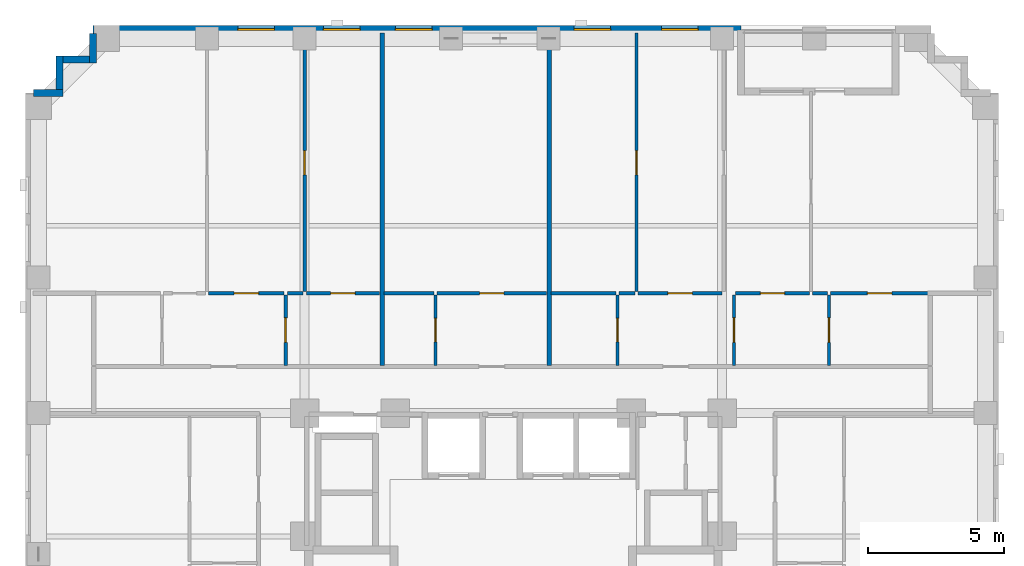
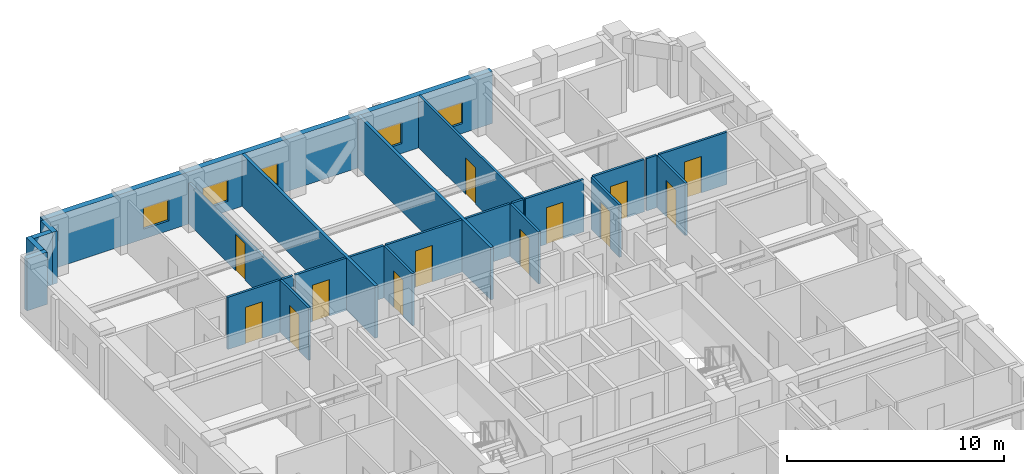
# One storey, part 7 of 12: 25 walls, 13 doors, 5 windows, 18 openings.
"""IFC4 building model written with IfcOpenShell, lengths in metres."""

from ifc_helpers import new_model, si_unit, derived_unit, direction, frame, frame_2d, origin, place, context, subcontext, project, spatial, rectangle, extrude, material, layer, layer_set, type_object, element, fill, save


model = new_model("IFC4")

# Units and contexts
model_context = context("Model", 3, precision=1e-05, world=origin(), true_north=direction((0.0, 1.0)))
body_context = subcontext(model_context, "Body", "Model", "MODEL_VIEW")
ifc_project = project(units=[si_unit("LENGTHUNIT", "METRE"), si_unit("AREAUNIT", "SQUARE_METRE"), si_unit("VOLUMEUNIT", "CUBIC_METRE"), si_unit("PLANEANGLEUNIT", "RADIAN"), si_unit("MASSUNIT", "GRAM", prefix="KILO"), derived_unit("THERMALTRANSMITTANCEUNIT", [(si_unit("MASSUNIT", "GRAM", prefix="KILO"), 1), (si_unit("TIMEUNIT", "SECOND"), -3), (si_unit("THERMODYNAMICTEMPERATUREUNIT", "KELVIN"), -1)])], contexts=[model_context])

# Site, building, storey
site_placement = place(None, origin())
site = spatial("IfcSite", under=ifc_project, at=site_placement, CompositionType="ELEMENT")
building_placement = place(site_placement, origin())
building = spatial("IfcBuilding", under=site, at=building_placement, Name="Korrvale Station Residences", CompositionType="ELEMENT")
storey_placement = place(building_placement, frame((0.0, 0.0, 91.10009765625)))
storey = spatial("IfcBuildingStorey", under=building, at=storey_placement, Name="L25", CompositionType="ELEMENT", Elevation=91.10009765625)

# Walls
ifc_material_1 = material(Name="Precast concrete C45/55", Category="concrete")
ifc_layer_1 = layer(ifc_material_1, 0.260009765625, Name="Precast concrete C45/55")
ifc_layer_set_1 = layer_set([ifc_layer_1], Name="Precast concrete C45/55")
wall_type_1 = type_object("IfcWallType", Name="WAL-EXT-LOG260", PredefinedType="SOLIDWALL", material=ifc_layer_set_1)
wall_1_placement = place(storey_placement, frame((7.802001953125, 40.800048828125, 0.0), z_axis=(0.0, 0.0, 1.0), x_axis=(1.0, 0.0, 0.0)))
element("IfcWall", 1, at=wall_1_placement, inside=storey, type_object=wall_type_1, Name="L25 Serrated Corner Precast Step NW-1", PredefinedType="SOLIDWALL", context=body_context, shape_type="SweptSolid", body=[
    extrude(rectangle(XDim=1.077880859375, YDim=0.260009765625, at=frame_2d((0.5390625, 0.0))), origin(), (0.0, 0.0, 1.0), 2.93994140625),
])
wall_2_placement = place(storey_placement, frame((8.75, 40.931884765625, 0.0), z_axis=(0.0, 0.0, 1.0), x_axis=(0.0, 1.0, 0.0)))
element("IfcWall", 2, at=wall_2_placement, inside=storey, type_object=wall_type_1, Name="L25 Serrated Corner Precast Step NW-2", PredefinedType="SOLIDWALL", context=body_context, shape_type="SweptSolid", body=[
    extrude(rectangle(XDim=1.248046875, YDim=0.260009765625, at=frame_2d((0.6240234375, 0.0))), origin(), (0.0, 0.0, 1.0), 2.93994140625),
])
wall_3_placement = place(storey_placement, frame((8.882080078125, 42.050048828125, 0.0), z_axis=(0.0, 0.0, 1.0), x_axis=(1.0, 0.0, 0.0)))
element("IfcWall", 3, at=wall_3_placement, inside=storey, type_object=wall_type_1, Name="L25 Serrated Corner Precast Step NW-3", PredefinedType="SOLIDWALL", context=body_context, shape_type="SweptSolid", body=[
    extrude(rectangle(XDim=0.98583984375, YDim=0.260009765625, at=frame_2d((0.492919921875, 0.0))), origin(), (0.0, 0.0, 1.0), 2.93994140625),
])
wall_4_placement = place(storey_placement, frame((10.0, 41.919921875, 0.0), z_axis=(0.0, 0.0, 1.0), x_axis=(0.0, 1.0, 0.0)))
element("IfcWall", 4, at=wall_4_placement, inside=storey, type_object=wall_type_1, Name="L25 Serrated Corner Precast Step NW-4", PredefinedType="SOLIDWALL", context=body_context, shape_type="SweptSolid", body=[
    extrude(rectangle(XDim=1.078125, YDim=0.260009765625, at=frame_2d((0.5390625, 0.0))), origin(), (0.0, 0.0, 1.0), 2.93994140625),
])

# Wall, openings, windows
ifc_layer_2 = layer(ifc_material_1, 0.300048828125, Name="Precast concrete C45/55")
ifc_layer_set_2 = layer_set([ifc_layer_2], Name="Precast concrete C45/55")
wall_type_2 = type_object("IfcWallType", Name="WAL-EXT-PC300", PredefinedType="SOLIDWALL", material=ifc_layer_set_2)
wall_5_placement = place(storey_placement, frame((10.0, 43.14990234375, 0.0), z_axis=(0.0, 0.0, 1.0), x_axis=(1.0, 0.0, 0.0)))
wall_5 = element("IfcWall", 5, at=wall_5_placement, inside=storey, type_object=wall_type_2, Name="L25 North Exterior Precast Wall 1", PredefinedType="SOLIDWALL", context=body_context, shape_type="SweptSolid", body=[
    extrude(rectangle(XDim=23.89990234375, YDim=0.300048828125, at=frame_2d((11.949951171875, 0.0))), origin(), (0.0, 0.0, 1.0), 2.93994140625),
])
opening_1_placement = place(wall_5_placement, frame((5.3369140625, 0.0, 0.550048828125)))
opening_1 = element("IfcOpeningElement", 6, at=opening_1_placement, cuts=wall_5, Name="Opening W-10", PredefinedType="OPENING", context=body_context, shape_type="SweptSolid", body=[
    extrude(rectangle(XDim=1.35009765625, YDim=1.199951171875, at=frame_2d((0.675048828125, 0.60009765625))), frame((0.0, 0.16015625, 0.0), z_axis=(0.0, -1.0, 0.0), x_axis=(1.0, 0.0, 0.0)), (0.0, 0.0, 1.0), 0.320068359375),
])
opening_2_placement = place(wall_5_placement, frame((8.493896484375, 0.0, 0.550048828125)))
opening_2 = element("IfcOpeningElement", 7, at=opening_2_placement, cuts=wall_5, Name="Opening W-10", PredefinedType="OPENING", context=body_context, shape_type="SweptSolid", body=[
    extrude(rectangle(XDim=1.35009765625, YDim=1.199951171875, at=frame_2d((0.675048828125, 0.60009765625))), frame((0.0, 0.16015625, 0.0), z_axis=(0.0, -1.0, 0.0), x_axis=(1.0, 0.0, 0.0)), (0.0, 0.0, 1.0), 0.320068359375),
])
opening_3_placement = place(wall_5_placement, frame((11.14990234375, 0.0, 0.550048828125)))
opening_3 = element("IfcOpeningElement", 8, at=opening_3_placement, cuts=wall_5, Name="Opening W-10", PredefinedType="OPENING", context=body_context, shape_type="SweptSolid", body=[
    extrude(rectangle(XDim=1.35009765625, YDim=1.199951171875, at=frame_2d((0.675048828125, 0.60009765625))), frame((0.0, 0.16015625, 0.0), z_axis=(0.0, -1.0, 0.0), x_axis=(1.0, 0.0, 0.0)), (0.0, 0.0, 1.0), 0.320068359375),
])
opening_4_placement = place(wall_5_placement, frame((17.738037109375, 0.0, 0.550048828125)))
opening_4 = element("IfcOpeningElement", 9, at=opening_4_placement, cuts=wall_5, Name="Opening W-10", PredefinedType="OPENING", context=body_context, shape_type="SweptSolid", body=[
    extrude(rectangle(XDim=1.35009765625, YDim=1.199951171875, at=frame_2d((0.675048828125, 0.60009765625))), frame((0.0, 0.16015625, 0.0), z_axis=(0.0, -1.0, 0.0), x_axis=(1.0, 0.0, 0.0)), (0.0, 0.0, 1.0), 0.320068359375),
])
opening_5_placement = place(wall_5_placement, frame((20.969970703125, 0.0, 0.550048828125)))
opening_5 = element("IfcOpeningElement", 10, at=opening_5_placement, cuts=wall_5, Name="Opening W-10", PredefinedType="OPENING", context=body_context, shape_type="SweptSolid", body=[
    extrude(rectangle(XDim=1.35009765625, YDim=1.199951171875, at=frame_2d((0.675048828125, 0.60009765625))), frame((0.0, 0.16015625, 0.0), z_axis=(0.0, -1.0, 0.0), x_axis=(1.0, 0.0, 0.0)), (0.0, 0.0, 1.0), 0.320068359375),
])
ifc_material_2 = material(Name="Thermally broken aluminium frame with triple low-e glazing", Category="aluminium")
window_type = type_object("IfcWindowType", Name="WIN-W10", PartitioningType="SINGLE_PANEL", PredefinedType="WINDOW", material=ifc_material_2)
window_1_placement = place(opening_1_placement, origin())
window_1 = element("IfcWindow", 11, at=window_1_placement, inside=storey, type_object=window_type, Name="L25 Punched Window 13", OverallHeight=1.199951171875, OverallWidth=1.35009765625, PartitioningType="SINGLE_PANEL", PredefinedType="WINDOW", context=body_context, shape_type="SweptSolid", body=[
    extrude(rectangle(XDim=1.35009765625, YDim=1.199951171875, at=frame_2d((0.675048828125, 0.60009765625))), frame((0.0, 0.030029296875, 0.0), z_axis=(0.0, -1.0, 0.0), x_axis=(1.0, 0.0, 0.0)), (0.0, 0.0, 1.0), 0.06005859375),
])
fill(opening_1, window_1)
window_2_placement = place(opening_2_placement, origin())
window_2 = element("IfcWindow", 12, at=window_2_placement, inside=storey, type_object=window_type, Name="L25 Punched Window 14", OverallHeight=1.199951171875, OverallWidth=1.35009765625, PartitioningType="SINGLE_PANEL", PredefinedType="WINDOW", context=body_context, shape_type="SweptSolid", body=[
    extrude(rectangle(XDim=1.35009765625, YDim=1.199951171875, at=frame_2d((0.675048828125, 0.60009765625))), frame((0.0, 0.030029296875, 0.0), z_axis=(0.0, -1.0, 0.0), x_axis=(1.0, 0.0, 0.0)), (0.0, 0.0, 1.0), 0.06005859375),
])
fill(opening_2, window_2)
window_3_placement = place(opening_3_placement, origin())
window_3 = element("IfcWindow", 13, at=window_3_placement, inside=storey, type_object=window_type, Name="L25 Punched Window 15", OverallHeight=1.199951171875, OverallWidth=1.35009765625, PartitioningType="SINGLE_PANEL", PredefinedType="WINDOW", context=body_context, shape_type="SweptSolid", body=[
    extrude(rectangle(XDim=1.35009765625, YDim=1.199951171875, at=frame_2d((0.675048828125, 0.60009765625))), frame((0.0, 0.030029296875, 0.0), z_axis=(0.0, -1.0, 0.0), x_axis=(1.0, 0.0, 0.0)), (0.0, 0.0, 1.0), 0.06005859375),
])
fill(opening_3, window_3)
window_4_placement = place(opening_4_placement, origin())
window_4 = element("IfcWindow", 14, at=window_4_placement, inside=storey, type_object=window_type, Name="L25 Punched Window 16", OverallHeight=1.199951171875, OverallWidth=1.35009765625, PartitioningType="SINGLE_PANEL", PredefinedType="WINDOW", context=body_context, shape_type="SweptSolid", body=[
    extrude(rectangle(XDim=1.35009765625, YDim=1.199951171875, at=frame_2d((0.675048828125, 0.60009765625))), frame((0.0, 0.030029296875, 0.0), z_axis=(0.0, -1.0, 0.0), x_axis=(1.0, 0.0, 0.0)), (0.0, 0.0, 1.0), 0.06005859375),
])
fill(opening_4, window_4)
window_5_placement = place(opening_5_placement, origin())
window_5 = element("IfcWindow", 15, at=window_5_placement, inside=storey, type_object=window_type, Name="L25 Punched Window 17", OverallHeight=1.199951171875, OverallWidth=1.35009765625, PartitioningType="SINGLE_PANEL", PredefinedType="WINDOW", context=body_context, shape_type="SweptSolid", body=[
    extrude(rectangle(XDim=1.35009765625, YDim=1.199951171875, at=frame_2d((0.675048828125, 0.60009765625))), frame((0.0, 0.030029296875, 0.0), z_axis=(0.0, -1.0, 0.0), x_axis=(1.0, 0.0, 0.0)), (0.0, 0.0, 1.0), 0.06005859375),
])
fill(opening_5, window_5)

# Wall, opening, door
ifc_material_3 = material(Name="Acoustic steel-stud gypsum board partition", Category="steel")
ifc_layer_3 = layer(ifc_material_3, 0.1201171875, Name="Acoustic steel-stud gypsum board partition")
ifc_layer_set_3 = layer_set([ifc_layer_3], Name="Acoustic steel-stud gypsum board partition")
wall_type_3 = type_object("IfcWallType", Name="WAL-PART-125", PredefinedType="PARTITIONING", material=ifc_layer_set_3)
wall_6_placement = place(storey_placement, frame((17.10009765625, 30.760009765625, 0.0), z_axis=(0.0, 0.0, 1.0), x_axis=(0.0, 1.0, 0.0)))
wall_6 = element("IfcWall", 16, at=wall_6_placement, inside=storey, type_object=wall_type_3, Name="L25 Suite Partition U05-V12", PredefinedType="PARTITIONING", context=body_context, shape_type="SweptSolid", body=[
    extrude(rectangle(XDim=2.60009765625, YDim=0.1201171875, at=frame_2d((1.300048828125, 0.0))), origin(), (0.0, 0.0, 1.0), 2.93994140625),
])
opening_6_placement = place(wall_6_placement, frame((0.85009765625, 0.0, 0.0)))
opening_6 = element("IfcOpeningElement", 17, at=opening_6_placement, cuts=wall_6, Name="Opening DI-900", PredefinedType="OPENING", context=body_context, shape_type="SweptSolid", body=[
    extrude(rectangle(XDim=0.89990234375, YDim=2.050048828125, at=frame_2d((0.449951171875, 1.02490234375))), frame((0.0, 0.070068359375, 0.0), z_axis=(0.0, -1.0, 0.0), x_axis=(1.0, 0.0, 0.0)), (0.0, 0.0, 1.0), 0.14013671875),
])
ifc_material_4 = material(Name="Painted solid-core timber interior room door", Category="wood")
door_type_1 = type_object("IfcDoorType", Name="DR-INT-900", OperationType="NOTDEFINED", PredefinedType="DOOR", material=ifc_material_4)
door_1_placement = place(opening_6_placement, origin())
door_1 = element("IfcDoor", 18, at=door_1_placement, inside=storey, type_object=door_type_1, Name="L25 Apartment 2BR L25-U05 Kitchen Door", OperationType="SINGLE_SWING_RIGHT", OverallHeight=2.050048828125, OverallWidth=0.89990234375, PredefinedType="DOOR", context=body_context, shape_type="SweptSolid", body=[
    extrude(rectangle(XDim=0.89990234375, YDim=2.050048828125, at=frame_2d((0.449951171875, 1.02490234375))), frame((0.0, 0.02490234375, 0.0), z_axis=(0.0, -1.0, 0.0), x_axis=(1.0, 0.0, 0.0)), (0.0, 0.0, 1.0), 0.050048828125),
])
fill(opening_6, door_1)

wall_7_placement = place(storey_placement, frame((14.260009765625, 33.419921875, 0.0), z_axis=(0.0, 0.0, 1.0), x_axis=(1.0, 0.0, 0.0)))
wall_7 = element("IfcWall", 19, at=wall_7_placement, inside=storey, type_object=wall_type_3, Name="L25 Suite Partition U05-H14", PredefinedType="PARTITIONING", context=body_context, shape_type="SweptSolid", body=[
    extrude(rectangle(XDim=2.780029296875, YDim=0.1201171875, at=frame_2d((1.39013671875, 0.0))), origin(), (0.0, 0.0, 1.0), 2.93994140625),
])
opening_7_placement = place(wall_7_placement, frame((0.93994140625, 0.0, 0.0)))
opening_7 = element("IfcOpeningElement", 20, at=opening_7_placement, cuts=wall_7, Name="Opening DI-900", PredefinedType="OPENING", context=body_context, shape_type="SweptSolid", body=[
    extrude(rectangle(XDim=0.89990234375, YDim=2.050048828125, at=frame_2d((0.449951171875, 1.02490234375))), frame((0.0, 0.070068359375, 0.0), z_axis=(0.0, -1.0, 0.0), x_axis=(1.0, 0.0, 0.0)), (0.0, 0.0, 1.0), 0.14013671875),
])
door_2_placement = place(opening_7_placement, origin())
door_2 = element("IfcDoor", 21, at=door_2_placement, inside=storey, type_object=door_type_1, Name="L25 Apartment 2BR L25-U05 Kitchen Door", OperationType="SINGLE_SWING_RIGHT", OverallHeight=2.050048828125, OverallWidth=0.89990234375, PredefinedType="DOOR", context=body_context, shape_type="SweptSolid", body=[
    extrude(rectangle(XDim=0.89990234375, YDim=2.050048828125, at=frame_2d((0.449951171875, 1.02490234375))), frame((0.0, 0.02490234375, 0.0), z_axis=(0.0, -1.0, 0.0), x_axis=(1.0, 0.0, 0.0)), (0.0, 0.0, 1.0), 0.050048828125),
])
fill(opening_7, door_2)

# Wall
wall_8_placement = place(storey_placement, frame((17.159912109375, 33.419921875, 0.0), z_axis=(0.0, 0.0, 1.0), x_axis=(1.0, 0.0, 0.0)))
element("IfcWall", 22, at=wall_8_placement, inside=storey, type_object=wall_type_3, Name="L25 Suite Partition U05-H24", PredefinedType="PARTITIONING", context=body_context, shape_type="SweptSolid", body=[
    extrude(rectangle(XDim=0.580078125, YDim=0.1201171875, at=frame_2d((0.2900390625, 0.0))), origin(), (0.0, 0.0, 1.0), 2.93994140625),
])

# Wall, opening, door
wall_9_placement = place(storey_placement, frame((17.860107421875, 33.419921875, 0.0), z_axis=(0.0, 0.0, 1.0), x_axis=(1.0, 0.0, 0.0)))
wall_9 = element("IfcWall", 23, at=wall_9_placement, inside=storey, type_object=wall_type_3, Name="L25 Suite Partition U05-H25", PredefinedType="PARTITIONING", context=body_context, shape_type="SweptSolid", body=[
    extrude(rectangle(XDim=2.698974609375, YDim=0.1201171875, at=frame_2d((1.349609375, 0.0))), origin(), (0.0, 0.0, 1.0), 2.93994140625),
])
opening_8_placement = place(wall_9_placement, frame((0.89892578125, 0.0, 0.0)))
opening_8 = element("IfcOpeningElement", 24, at=opening_8_placement, cuts=wall_9, Name="Opening DI-900", PredefinedType="OPENING", context=body_context, shape_type="SweptSolid", body=[
    extrude(rectangle(XDim=0.89990234375, YDim=2.050048828125, at=frame_2d((0.449951171875, 1.02490234375))), frame((0.0, 0.070068359375, 0.0), z_axis=(0.0, -1.0, 0.0), x_axis=(1.0, 0.0, 0.0)), (0.0, 0.0, 1.0), 0.14013671875),
])
door_3_placement = place(opening_8_placement, origin())
door_3 = element("IfcDoor", 25, at=door_3_placement, inside=storey, type_object=door_type_1, Name="L25 Apartment 2BR L25-U05 Home Study Room Door", OperationType="SINGLE_SWING_LEFT", OverallHeight=2.050048828125, OverallWidth=0.89990234375, PredefinedType="DOOR", context=body_context, shape_type="SweptSolid", body=[
    extrude(rectangle(XDim=0.89990234375, YDim=2.050048828125, at=frame_2d((0.449951171875, 1.02490234375))), frame((0.0, 0.02490234375, 0.0), z_axis=(0.0, -1.0, 0.0), x_axis=(1.0, 0.0, 0.0)), (0.0, 0.0, 1.0), 0.050048828125),
])
fill(opening_8, door_3)

wall_10_placement = place(storey_placement, frame((17.800048828125, 33.47998046875, 0.0), z_axis=(0.0, 0.0, 1.0), x_axis=(0.0, 1.0, 0.0)))
wall_10 = element("IfcWall", 26, at=wall_10_placement, inside=storey, type_object=wall_type_3, Name="L25 Suite Partition U05-V45", PredefinedType="PARTITIONING", context=body_context, shape_type="SweptSolid", body=[
    extrude(rectangle(XDim=9.5400390625, YDim=0.1201171875, at=frame_2d((4.77001953125, 0.0))), origin(), (0.0, 0.0, 1.0), 2.308837890625),
])
opening_9_placement = place(wall_10_placement, frame((4.304931640625, 0.0, 0.0)))
opening_9 = element("IfcOpeningElement", 27, at=opening_9_placement, cuts=wall_10, Name="Opening DI-900", PredefinedType="OPENING", context=body_context, shape_type="SweptSolid", body=[
    extrude(rectangle(XDim=0.89990234375, YDim=2.050048828125, at=frame_2d((0.449951171875, 1.02490234375))), frame((0.0, 0.070068359375, 0.0), z_axis=(0.0, -1.0, 0.0), x_axis=(1.0, 0.0, 0.0)), (0.0, 0.0, 1.0), 0.14013671875),
])
door_4_placement = place(opening_9_placement, origin())
door_4 = element("IfcDoor", 28, at=door_4_placement, inside=storey, type_object=door_type_1, Name="L25 Apartment 2BR L25-U05 Bedroom 1 Door", OperationType="SINGLE_SWING_LEFT", OverallHeight=2.050048828125, OverallWidth=0.89990234375, PredefinedType="DOOR", context=body_context, shape_type="SweptSolid", body=[
    extrude(rectangle(XDim=0.89990234375, YDim=2.050048828125, at=frame_2d((0.449951171875, 1.02490234375))), frame((0.0, 0.02490234375, 0.0), z_axis=(0.0, -1.0, 0.0), x_axis=(1.0, 0.0, 0.0)), (0.0, 0.0, 1.0), 0.050048828125),
])
fill(opening_9, door_4)

wall_11_placement = place(storey_placement, frame((22.62890625, 30.760009765625, 0.0), z_axis=(0.0, 0.0, 1.0), x_axis=(0.0, 1.0, 0.0)))
wall_11 = element("IfcWall", 29, at=wall_11_placement, inside=storey, type_object=wall_type_3, Name="L25 Suite Partition U06-V01", PredefinedType="PARTITIONING", context=body_context, shape_type="SweptSolid", body=[
    extrude(rectangle(XDim=2.60009765625, YDim=0.1201171875, at=frame_2d((1.300048828125, 0.0))), origin(), (0.0, 0.0, 1.0), 2.93994140625),
])
opening_10_placement = place(wall_11_placement, frame((0.8701171875, 0.0, 0.0)))
opening_10 = element("IfcOpeningElement", 30, at=opening_10_placement, cuts=wall_11, Name="Opening DB-860", PredefinedType="OPENING", context=body_context, shape_type="SweptSolid", body=[
    extrude(rectangle(XDim=0.860107421875, YDim=2.050048828125, at=frame_2d((0.43017578125, 1.02490234375))), frame((0.0, 0.070068359375, 0.0), z_axis=(0.0, -1.0, 0.0), x_axis=(1.0, 0.0, 0.0)), (0.0, 0.0, 1.0), 0.14013671875),
])
ifc_material_5 = material(Name="Moisture-resistant solid-core bathroom door", Category="timber")
door_type_2 = type_object("IfcDoorType", Name="DR-BATH-860", OperationType="NOTDEFINED", PredefinedType="DOOR", material=ifc_material_5)
door_5_placement = place(opening_10_placement, origin())
door_5 = element("IfcDoor", 31, at=door_5_placement, inside=storey, type_object=door_type_2, Name="L25 Studio Apartment L25-U06 Bathroom Door", OperationType="SINGLE_SWING_RIGHT", OverallHeight=2.050048828125, OverallWidth=0.860107421875, PredefinedType="DOOR", context=body_context, shape_type="SweptSolid", body=[
    extrude(rectangle(XDim=0.860107421875, YDim=2.050048828125, at=frame_2d((0.43017578125, 1.02490234375))), frame((0.0, 0.02490234375, 0.0), z_axis=(0.0, -1.0, 0.0), x_axis=(1.0, 0.0, 0.0)), (0.0, 0.0, 1.0), 0.050048828125),
])
fill(opening_10, door_5)

# Wall
wall_12_placement = place(storey_placement, frame((20.718994140625, 33.419921875, 0.0), z_axis=(0.0, 0.0, 1.0), x_axis=(1.0, 0.0, 0.0)))
element("IfcWall", 32, at=wall_12_placement, inside=storey, type_object=wall_type_3, Name="L25 Suite Partition U06-H02", PredefinedType="PARTITIONING", context=body_context, shape_type="SweptSolid", body=[
    extrude(rectangle(XDim=1.85009765625, YDim=0.1201171875, at=frame_2d((0.925048828125, 0.0))), origin(), (0.0, 0.0, 1.0), 2.93994140625),
])

# Wall, opening, door
wall_13_placement = place(storey_placement, frame((22.68896484375, 33.419921875, 0.0), z_axis=(0.0, 0.0, 1.0), x_axis=(1.0, 0.0, 0.0)))
wall_13 = element("IfcWall", 33, at=wall_13_placement, inside=storey, type_object=wall_type_3, Name="L25 Suite Partition U06-H12", PredefinedType="PARTITIONING", context=body_context, shape_type="SweptSolid", body=[
    extrude(rectangle(XDim=4.031005859375, YDim=0.1201171875, at=frame_2d((2.015625, 0.0))), origin(), (0.0, 0.0, 1.0), 2.93994140625),
])
opening_11_placement = place(wall_13_placement, frame((1.56494140625, 0.0, 0.0)))
opening_11 = element("IfcOpeningElement", 34, at=opening_11_placement, cuts=wall_13, Name="Opening DI-900", PredefinedType="OPENING", context=body_context, shape_type="SweptSolid", body=[
    extrude(rectangle(XDim=0.89990234375, YDim=2.050048828125, at=frame_2d((0.449951171875, 1.02490234375))), frame((0.0, 0.070068359375, 0.0), z_axis=(0.0, -1.0, 0.0), x_axis=(1.0, 0.0, 0.0)), (0.0, 0.0, 1.0), 0.14013671875),
])
door_6_placement = place(opening_11_placement, origin())
door_6 = element("IfcDoor", 35, at=door_6_placement, inside=storey, type_object=door_type_1, Name="L25 Studio Apartment L25-U06 Kitchen Door", OperationType="SINGLE_SWING_LEFT", OverallHeight=2.050048828125, OverallWidth=0.89990234375, PredefinedType="DOOR", context=body_context, shape_type="SweptSolid", body=[
    extrude(rectangle(XDim=0.89990234375, YDim=2.050048828125, at=frame_2d((0.449951171875, 1.02490234375))), frame((0.0, 0.02490234375, 0.0), z_axis=(0.0, -1.0, 0.0), x_axis=(1.0, 0.0, 0.0)), (0.0, 0.0, 1.0), 0.050048828125),
])
fill(opening_11, door_6)

wall_14_placement = place(storey_placement, frame((29.340087890625, 30.760009765625, 0.0), z_axis=(0.0, 0.0, 1.0), x_axis=(0.0, 1.0, 0.0)))
wall_14 = element("IfcWall", 36, at=wall_14_placement, inside=storey, type_object=wall_type_3, Name="L25 Suite Partition U07-V01", PredefinedType="PARTITIONING", context=body_context, shape_type="SweptSolid", body=[
    extrude(rectangle(XDim=2.60009765625, YDim=0.1201171875, at=frame_2d((1.300048828125, 0.0))), origin(), (0.0, 0.0, 1.0), 2.93994140625),
])
opening_12_placement = place(wall_14_placement, frame((0.8701171875, 0.0, 0.0)))
opening_12 = element("IfcOpeningElement", 37, at=opening_12_placement, cuts=wall_14, Name="Opening DB-860", PredefinedType="OPENING", context=body_context, shape_type="SweptSolid", body=[
    extrude(rectangle(XDim=0.860107421875, YDim=2.050048828125, at=frame_2d((0.43017578125, 1.02490234375))), frame((0.0, 0.070068359375, 0.0), z_axis=(0.0, -1.0, 0.0), x_axis=(1.0, 0.0, 0.0)), (0.0, 0.0, 1.0), 0.14013671875),
])
door_7_placement = place(opening_12_placement, origin())
door_7 = element("IfcDoor", 38, at=door_7_placement, inside=storey, type_object=door_type_2, Name="L25 Studio Apartment L25-U07 Bathroom Door", OperationType="SINGLE_SWING_RIGHT", OverallHeight=2.050048828125, OverallWidth=0.860107421875, PredefinedType="DOOR", context=body_context, shape_type="SweptSolid", body=[
    extrude(rectangle(XDim=0.860107421875, YDim=2.050048828125, at=frame_2d((0.43017578125, 1.02490234375))), frame((0.0, 0.02490234375, 0.0), z_axis=(0.0, -1.0, 0.0), x_axis=(1.0, 0.0, 0.0)), (0.0, 0.0, 1.0), 0.050048828125),
])
fill(opening_12, door_7)

# Wall
wall_15_placement = place(storey_placement, frame((26.8798828125, 33.419921875, 0.0), z_axis=(0.0, 0.0, 1.0), x_axis=(1.0, 0.0, 0.0)))
element("IfcWall", 39, at=wall_15_placement, inside=storey, type_object=wall_type_3, Name="L25 Suite Partition U07-H04", PredefinedType="PARTITIONING", context=body_context, shape_type="SweptSolid", body=[
    extrude(rectangle(XDim=2.400146484375, YDim=0.1201171875, at=frame_2d((1.2001953125, 0.0))), origin(), (0.0, 0.0, 1.0), 2.93994140625),
])

# Wall, opening, door
wall_16_placement = place(storey_placement, frame((33.639892578125, 30.760009765625, 0.0), z_axis=(0.0, 0.0, 1.0), x_axis=(0.0, 1.0, 0.0)))
wall_16 = element("IfcWall", 40, at=wall_16_placement, inside=storey, type_object=wall_type_3, Name="L25 Suite Partition U07-V12", PredefinedType="PARTITIONING", context=body_context, shape_type="SweptSolid", body=[
    extrude(rectangle(XDim=2.60009765625, YDim=0.1201171875, at=frame_2d((1.300048828125, 0.0))), origin(), (0.0, 0.0, 1.0), 2.93994140625),
])
opening_13_placement = place(wall_16_placement, frame((0.85009765625, 0.0, 0.0)))
opening_13 = element("IfcOpeningElement", 41, at=opening_13_placement, cuts=wall_16, Name="Opening DI-900", PredefinedType="OPENING", context=body_context, shape_type="SweptSolid", body=[
    extrude(rectangle(XDim=0.89990234375, YDim=2.050048828125, at=frame_2d((0.449951171875, 1.02490234375))), frame((0.0, 0.070068359375, 0.0), z_axis=(0.0, -1.0, 0.0), x_axis=(1.0, 0.0, 0.0)), (0.0, 0.0, 1.0), 0.14013671875),
])
door_8_placement = place(opening_13_placement, origin())
door_8 = element("IfcDoor", 42, at=door_8_placement, inside=storey, type_object=door_type_1, Name="L25 Studio Apartment L25-U07 Kitchen Door", OperationType="SINGLE_SWING_LEFT", OverallHeight=2.050048828125, OverallWidth=0.89990234375, PredefinedType="DOOR", context=body_context, shape_type="SweptSolid", body=[
    extrude(rectangle(XDim=0.89990234375, YDim=2.050048828125, at=frame_2d((0.449951171875, 1.02490234375))), frame((0.0, 0.02490234375, 0.0), z_axis=(0.0, -1.0, 0.0), x_axis=(1.0, 0.0, 0.0)), (0.0, 0.0, 1.0), 0.050048828125),
])
fill(opening_13, door_8)

# Wall
wall_17_placement = place(storey_placement, frame((29.39990234375, 33.419921875, 0.0), z_axis=(0.0, 0.0, 1.0), x_axis=(1.0, 0.0, 0.0)))
element("IfcWall", 43, at=wall_17_placement, inside=storey, type_object=wall_type_3, Name="L25 Suite Partition U07-H14", PredefinedType="PARTITIONING", context=body_context, shape_type="SweptSolid", body=[
    extrude(rectangle(XDim=0.580078125, YDim=0.1201171875, at=frame_2d((0.2900390625, 0.0))), origin(), (0.0, 0.0, 1.0), 2.93994140625),
])

# Wall, opening, door
wall_18_placement = place(storey_placement, frame((30.10009765625, 33.419921875, 0.0), z_axis=(0.0, 0.0, 1.0), x_axis=(1.0, 0.0, 0.0)))
wall_18 = element("IfcWall", 44, at=wall_18_placement, inside=storey, type_object=wall_type_3, Name="L25 Suite Partition U07-H15", PredefinedType="PARTITIONING", context=body_context, shape_type="SweptSolid", body=[
    extrude(rectangle(XDim=3.099853515625, YDim=0.1201171875, at=frame_2d((1.5498046875, 0.0))), origin(), (0.0, 0.0, 1.0), 2.93994140625),
])
opening_14_placement = place(wall_18_placement, frame((1.10009765625, 0.0, 0.0)))
opening_14 = element("IfcOpeningElement", 45, at=opening_14_placement, cuts=wall_18, Name="Opening DI-900", PredefinedType="OPENING", context=body_context, shape_type="SweptSolid", body=[
    extrude(rectangle(XDim=0.89990234375, YDim=2.050048828125, at=frame_2d((0.449951171875, 1.02490234375))), frame((0.0, 0.070068359375, 0.0), z_axis=(0.0, -1.0, 0.0), x_axis=(1.0, 0.0, 0.0)), (0.0, 0.0, 1.0), 0.14013671875),
])
door_9_placement = place(opening_14_placement, origin())
door_9 = element("IfcDoor", 46, at=door_9_placement, inside=storey, type_object=door_type_1, Name="L25 Studio Apartment L25-U07 Kitchen Door", OperationType="SINGLE_SWING_RIGHT", OverallHeight=2.050048828125, OverallWidth=0.89990234375, PredefinedType="DOOR", context=body_context, shape_type="SweptSolid", body=[
    extrude(rectangle(XDim=0.89990234375, YDim=2.050048828125, at=frame_2d((0.449951171875, 1.02490234375))), frame((0.0, 0.02490234375, 0.0), z_axis=(0.0, -1.0, 0.0), x_axis=(1.0, 0.0, 0.0)), (0.0, 0.0, 1.0), 0.050048828125),
])
fill(opening_14, door_9)

wall_19_placement = place(storey_placement, frame((37.14501953125, 30.760009765625, 0.0), z_axis=(0.0, 0.0, 1.0), x_axis=(0.0, 1.0, 0.0)))
wall_19 = element("IfcWall", 47, at=wall_19_placement, inside=storey, type_object=wall_type_3, Name="L25 Suite Partition U07-V23", PredefinedType="PARTITIONING", context=body_context, shape_type="SweptSolid", body=[
    extrude(rectangle(XDim=2.60009765625, YDim=0.1201171875, at=frame_2d((1.300048828125, 0.0))), origin(), (0.0, 0.0, 1.0), 2.93994140625),
])
opening_15_placement = place(wall_19_placement, frame((0.85009765625, 0.0, 0.0)))
opening_15 = element("IfcOpeningElement", 48, at=opening_15_placement, cuts=wall_19, Name="Opening DI-900", PredefinedType="OPENING", context=body_context, shape_type="SweptSolid", body=[
    extrude(rectangle(XDim=0.89990234375, YDim=2.050048828125, at=frame_2d((0.449951171875, 1.02490234375))), frame((0.0, 0.070068359375, 0.0), z_axis=(0.0, -1.0, 0.0), x_axis=(1.0, 0.0, 0.0)), (0.0, 0.0, 1.0), 0.14013671875),
])
door_10_placement = place(opening_15_placement, origin())
door_10 = element("IfcDoor", 49, at=door_10_placement, inside=storey, type_object=door_type_1, Name="L25 Studio Apartment L25-U07 Home Study Room Door", OperationType="SINGLE_SWING_LEFT", OverallHeight=2.050048828125, OverallWidth=0.89990234375, PredefinedType="DOOR", context=body_context, shape_type="SweptSolid", body=[
    extrude(rectangle(XDim=0.89990234375, YDim=2.050048828125, at=frame_2d((0.449951171875, 1.02490234375))), frame((0.0, 0.02490234375, 0.0), z_axis=(0.0, -1.0, 0.0), x_axis=(1.0, 0.0, 0.0)), (0.0, 0.0, 1.0), 0.050048828125),
])
fill(opening_15, door_10)

wall_20_placement = place(storey_placement, frame((33.699951171875, 33.419921875, 0.0), z_axis=(0.0, 0.0, 1.0), x_axis=(1.0, 0.0, 0.0)))
wall_20 = element("IfcWall", 50, at=wall_20_placement, inside=storey, type_object=wall_type_3, Name="L25 Suite Partition U07-H26", PredefinedType="PARTITIONING", context=body_context, shape_type="SweptSolid", body=[
    extrude(rectangle(XDim=2.719970703125, YDim=0.1201171875, at=frame_2d((1.35986328125, 0.0))), origin(), (0.0, 0.0, 1.0), 2.93994140625),
])
opening_16_placement = place(wall_20_placement, frame((0.909912109375, 0.0, 0.0)))
opening_16 = element("IfcOpeningElement", 51, at=opening_16_placement, cuts=wall_20, Name="Opening DI-900", PredefinedType="OPENING", context=body_context, shape_type="SweptSolid", body=[
    extrude(rectangle(XDim=0.89990234375, YDim=2.050048828125, at=frame_2d((0.449951171875, 1.02490234375))), frame((0.0, 0.070068359375, 0.0), z_axis=(0.0, -1.0, 0.0), x_axis=(1.0, 0.0, 0.0)), (0.0, 0.0, 1.0), 0.14013671875),
])
door_11_placement = place(opening_16_placement, origin())
door_11 = element("IfcDoor", 52, at=door_11_placement, inside=storey, type_object=door_type_1, Name="L25 Studio Apartment L25-U07 Home Study Room Door", OperationType="SINGLE_SWING_RIGHT", OverallHeight=2.050048828125, OverallWidth=0.89990234375, PredefinedType="DOOR", context=body_context, shape_type="SweptSolid", body=[
    extrude(rectangle(XDim=0.89990234375, YDim=2.050048828125, at=frame_2d((0.449951171875, 1.02490234375))), frame((0.0, 0.02490234375, 0.0), z_axis=(0.0, -1.0, 0.0), x_axis=(1.0, 0.0, 0.0)), (0.0, 0.0, 1.0), 0.050048828125),
])
fill(opening_16, door_11)

# Wall
wall_21_placement = place(storey_placement, frame((36.5400390625, 33.419921875, 0.0), z_axis=(0.0, 0.0, 1.0), x_axis=(1.0, 0.0, 0.0)))
element("IfcWall", 53, at=wall_21_placement, inside=storey, type_object=wall_type_3, Name="L25 Suite Partition U07-H27", PredefinedType="PARTITIONING", context=body_context, shape_type="SweptSolid", body=[
    extrude(rectangle(XDim=0.544921875, YDim=0.1201171875, at=frame_2d((0.2724609375, 0.0))), origin(), (0.0, 0.0, 1.0), 2.93994140625),
])

# Wall, opening, door
wall_22_placement = place(storey_placement, frame((37.205078125, 33.419921875, 0.0), z_axis=(0.0, 0.0, 1.0), x_axis=(1.0, 0.0, 0.0)))
wall_22 = element("IfcWall", 54, at=wall_22_placement, inside=storey, type_object=wall_type_3, Name="L25 Suite Partition U07-H37", PredefinedType="PARTITIONING", context=body_context, shape_type="SweptSolid", body=[
    extrude(rectangle(XDim=3.614990234375, YDim=0.1201171875, at=frame_2d((1.8076171875, 0.0))), origin(), (0.0, 0.0, 1.0), 2.93994140625),
])
opening_17_placement = place(wall_22_placement, frame((1.35791015625, 0.0, 0.0)))
opening_17 = element("IfcOpeningElement", 55, at=opening_17_placement, cuts=wall_22, Name="Opening DI-900", PredefinedType="OPENING", context=body_context, shape_type="SweptSolid", body=[
    extrude(rectangle(XDim=0.89990234375, YDim=2.050048828125, at=frame_2d((0.449951171875, 1.02490234375))), frame((0.0, 0.070068359375, 0.0), z_axis=(0.0, -1.0, 0.0), x_axis=(1.0, 0.0, 0.0)), (0.0, 0.0, 1.0), 0.14013671875),
])
door_12_placement = place(opening_17_placement, origin())
door_12 = element("IfcDoor", 56, at=door_12_placement, inside=storey, type_object=door_type_1, Name="L25 Studio Apartment L25-U07 Utility and Laundry Room Door", OperationType="SINGLE_SWING_LEFT", OverallHeight=2.050048828125, OverallWidth=0.89990234375, PredefinedType="DOOR", context=body_context, shape_type="SweptSolid", body=[
    extrude(rectangle(XDim=0.89990234375, YDim=2.050048828125, at=frame_2d((0.449951171875, 1.02490234375))), frame((0.0, 0.02490234375, 0.0), z_axis=(0.0, -1.0, 0.0), x_axis=(1.0, 0.0, 0.0)), (0.0, 0.0, 1.0), 0.050048828125),
])
fill(opening_17, door_12)

wall_23_placement = place(storey_placement, frame((30.0400390625, 33.47998046875, 0.0), z_axis=(0.0, 0.0, 1.0), x_axis=(0.0, 1.0, 0.0)))
wall_23 = element("IfcWall", 57, at=wall_23_placement, inside=storey, type_object=wall_type_3, Name="L25 Suite Partition U07-V45", PredefinedType="PARTITIONING", context=body_context, shape_type="SweptSolid", body=[
    extrude(rectangle(XDim=9.5400390625, YDim=0.1201171875, at=frame_2d((4.77001953125, 0.0))), origin(), (0.0, 0.0, 1.0), 2.93994140625),
])
opening_18_placement = place(wall_23_placement, frame((4.304931640625, 0.0, 0.0)))
opening_18 = element("IfcOpeningElement", 58, at=opening_18_placement, cuts=wall_23, Name="Opening DI-900", PredefinedType="OPENING", context=body_context, shape_type="SweptSolid", body=[
    extrude(rectangle(XDim=0.89990234375, YDim=2.050048828125, at=frame_2d((0.449951171875, 1.02490234375))), frame((0.0, 0.070068359375, 0.0), z_axis=(0.0, -1.0, 0.0), x_axis=(1.0, 0.0, 0.0)), (0.0, 0.0, 1.0), 0.14013671875),
])
door_13_placement = place(opening_18_placement, origin())
door_13 = element("IfcDoor", 59, at=door_13_placement, inside=storey, type_object=door_type_1, Name="L25 Studio Apartment L25-U07 Formal Dining Room Door", OperationType="SINGLE_SWING_RIGHT", OverallHeight=2.050048828125, OverallWidth=0.89990234375, PredefinedType="DOOR", context=body_context, shape_type="SweptSolid", body=[
    extrude(rectangle(XDim=0.89990234375, YDim=2.050048828125, at=frame_2d((0.449951171875, 1.02490234375))), frame((0.0, 0.02490234375, 0.0), z_axis=(0.0, -1.0, 0.0), x_axis=(1.0, 0.0, 0.0)), (0.0, 0.0, 1.0), 0.050048828125),
])
fill(opening_18, door_13)

# Walls
ifc_material_6 = material(Name="Fire-rated twin-stud gypsum and mineral wool shaftwall assembly", Category="gypsum")
ifc_layer_4 = layer(ifc_material_6, 0.159912109375, Name="Fire-rated twin-stud gypsum and mineral wool shaftwall assembly")
ifc_layer_set_4 = layer_set([ifc_layer_4], Name="Fire-rated twin-stud gypsum and mineral wool shaftwall assembly")
wall_type_4 = type_object("IfcWallType", Name="WAL-PART-200", PredefinedType="PARTITIONING", material=ifc_layer_set_4)
for number, where, z_axis, x_axis, name in (
    (60, (20.658935546875, 30.760009765625, 0.0), (0.0, 0.0, 1.0), (0.0, 1.0, 0.0), "L25 Demising Wall U06-W"),
    (61, (26.820068359375, 30.760009765625, 0.0), (0.0, 0.0, 1.0), (0.0, 1.0, 0.0), "L25 Demising Wall U07-W"),
):
    element("IfcWall", number, at=place(storey_placement, frame(where, z_axis=z_axis, x_axis=x_axis)), inside=storey, type_object=wall_type_4, Name=name, PredefinedType="PARTITIONING", context=body_context, shape_type="SweptSolid", body=[
        extrude(rectangle(XDim=12.260009765625, YDim=0.159912109375, at=frame_2d((6.1298828125, 0.0))), origin(), (0.0, 0.0, 1.0), 2.93994140625),
    ])

save(model, "model.ifc")
